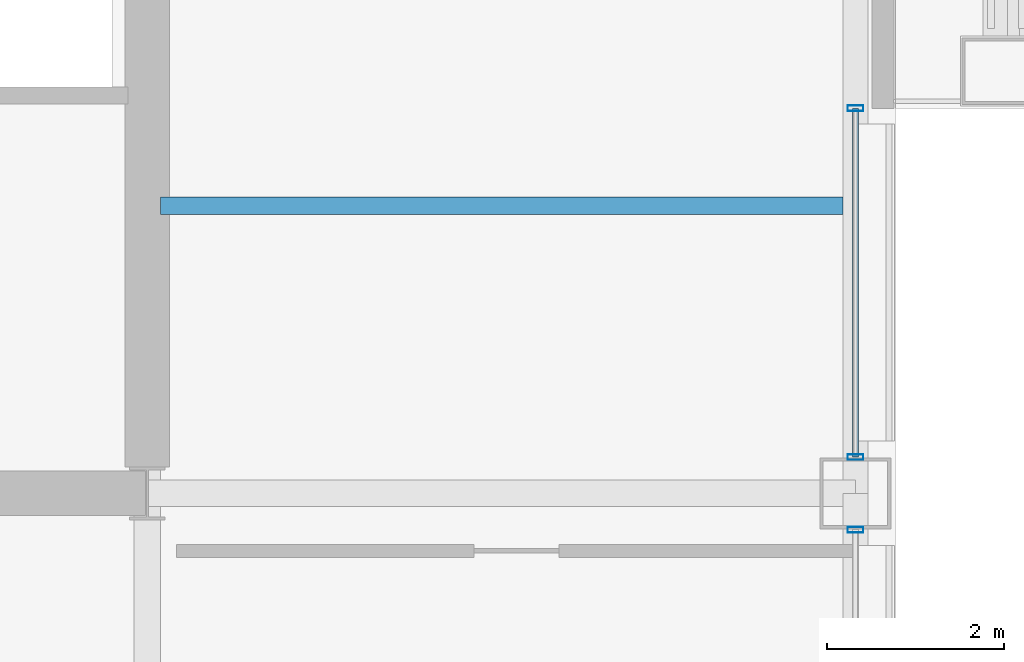
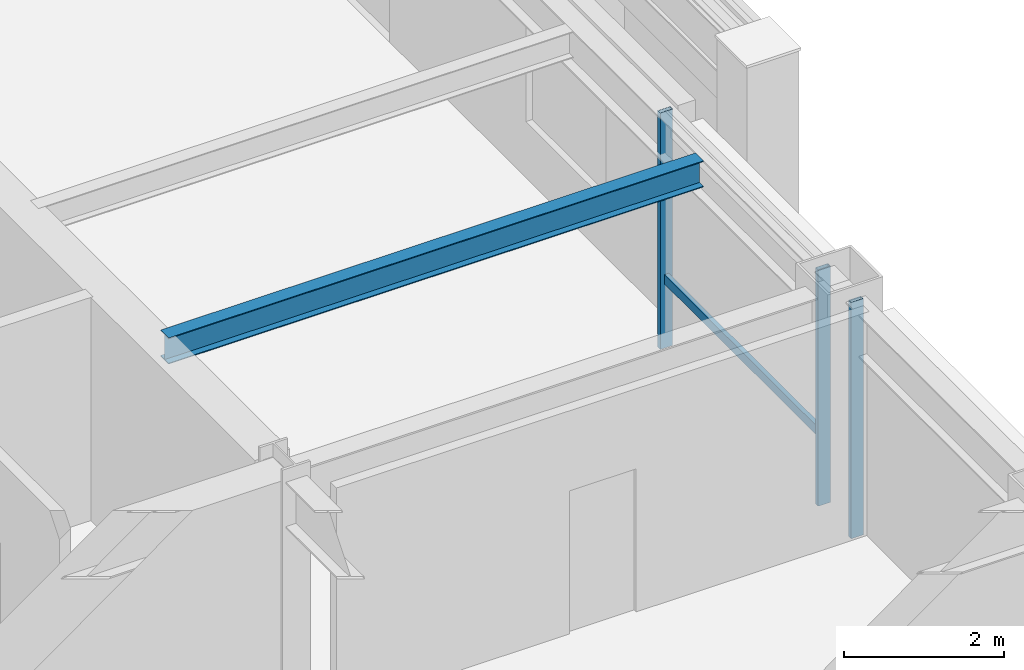
# One storey, part 14 of 29: 4 members, 1 beam, 2 elements without a shape of their own.
"""IFC4 building model written with IfcOpenShell, lengths in metres."""

from ifc_helpers import new_model, si_unit, direction, frame, origin, origin_2d, place, context, subcontext, project, spatial, hollow_rectangle, i_section, extrude, material, layer, layer_set, material_profile, profile_set, type_object, element, aggregate, save


model = new_model("IFC4")

# Units and contexts
model_context = context("Model", 3, precision=1e-05, world=origin(), true_north=direction((0.0, 1.0)))
body_context = subcontext(model_context, "Body", "Model", "MODEL_VIEW")
ifc_project = project(units=[si_unit("LENGTHUNIT", "METRE"), si_unit("AREAUNIT", "SQUARE_METRE"), si_unit("VOLUMEUNIT", "CUBIC_METRE"), si_unit("PLANEANGLEUNIT", "RADIAN"), si_unit("MASSUNIT", "GRAM", prefix="KILO")], contexts=[model_context])

# Site, building, storey
site_placement = place(None, origin())
site = spatial("IfcSite", under=ifc_project, at=site_placement, CompositionType="ELEMENT")
building_placement = place(site_placement, origin())
building = spatial("IfcBuilding", under=site, at=building_placement, Name="Brelmoor Portico Tower", CompositionType="ELEMENT")
storey_placement = place(building_placement, frame((0.0, 0.0, 138.60009765625)))
storey = spatial("IfcBuildingStorey", under=building, at=storey_placement, Name="L36", CompositionType="ELEMENT", Elevation=138.60009765625)

# Beam
ifc_material_1 = material(Name="Steel Q355B", Category="steel")
ifc_material_profile_1 = material_profile(ifc_material_1, i_section(OverallWidth=0.199951171875, OverallDepth=0.39990234375, WebThickness=0.008056640625, FlangeThickness=0.012939453125, at=origin_2d()), Name="HN 400x200x8x13")
ifc_profile_set_1 = profile_set([ifc_material_profile_1], Name="Steel Q355B")
beam_type = type_object("IfcBeamType", Name="BM-JS-400", PredefinedType="JOIST", material=ifc_profile_set_1)
beam_placement = place(storey_placement, frame((14.699951171875, -6.5, 3.199951171875), z_axis=(1.0, 0.0, 0.0), x_axis=(0.0, 1.0, 0.0)))
element("IfcBeam", 1, at=beam_placement, inside=storey, type_object=beam_type, Name="L36 Secondary Wing Joist JS-E09", PredefinedType="JOIST", context=body_context, shape_type="SweptSolid", body=[
    extrude(i_section(OverallWidth=0.199951171875, OverallDepth=0.39990234375, WebThickness=0.008056640625, FlangeThickness=0.012939453125, at=origin_2d()), origin(), (0.0, 0.0, 1.0), 7.7099609375),
])

# Curtain wall, member
ifc_material_2 = material(Name="Anodised Aluminium Alloy 6063-T6", Category="aluminium")
ifc_layer_1 = layer(ifc_material_2, 0.179931640625)
ifc_layer_set_1 = layer_set([ifc_layer_1], Name="Anodised Aluminium Alloy 6063-T6")
curtain_wall_type_1 = type_object("IfcCurtainWallType", Name="CW-TOWER-Z2-XB", PredefinedType="NOTDEFINED", material=ifc_layer_set_1)
curtain_wall_1_placement = place(storey_placement, origin())
curtain_wall_1 = element("IfcCurtainWall", 2, at=curtain_wall_1_placement, inside=storey, type_object=curtain_wall_type_1, Name="L36 Curtain Wall CW-L36-4L-1", PredefinedType="NOTDEFINED")
ifc_material_profile_2 = material_profile(ifc_material_2, hollow_rectangle(XDim=0.06494140625, YDim=0.179931640625, WallThickness=0.00390625, at=origin_2d()), Name="ALU MULLION 65x180")
ifc_profile_set_2 = profile_set([ifc_material_profile_2], Name="Anodised Aluminium Alloy 6063-T6")
member_type_1 = type_object("IfcMemberType", Name="MB-CW-MULL-180", PredefinedType="MULLION", material=ifc_profile_set_2)
member_1_placement = place(storey_placement, frame((22.550048828125, -10.159912109375, -0.2001953125), z_axis=(0.0, 0.0, 1.0), x_axis=(0.0, 1.0, 0.0)))
member_1 = element("IfcMember", 3, at=member_1_placement, type_object=member_type_1, Name="CW-L36-4L-1 Mullion 01", PredefinedType="MULLION", context=body_context, shape_type="SweptSolid", body=[
    extrude(hollow_rectangle(XDim=0.06494140625, YDim=0.179931640625, WallThickness=0.00390625, at=origin_2d()), origin(), (0.0, 0.0, 1.0), 3.60009765625),
])
aggregate(curtain_wall_1, [member_1])

# Curtain wall, members
ifc_layer_2 = layer(ifc_material_2, 0.179931640625)
ifc_layer_set_2 = layer_set([ifc_layer_2], Name="Anodised Aluminium Alloy 6063-T6")
curtain_wall_type_2 = type_object("IfcCurtainWallType", Name="CW-TOWER-Z2", PredefinedType="NOTDEFINED", material=ifc_layer_set_2)
curtain_wall_2_placement = place(storey_placement, origin())
curtain_wall_2 = element("IfcCurtainWall", 4, at=curtain_wall_2_placement, inside=storey, type_object=curtain_wall_type_2, Name="L36 Curtain Wall CW-L36-4L-2", PredefinedType="NOTDEFINED")
member_2_placement = place(storey_placement, frame((22.550048828125, -9.340087890625, -0.2001953125), z_axis=(0.0, 0.0, 1.0), x_axis=(0.0, 1.0, 0.0)))
member_2 = element("IfcMember", 5, at=member_2_placement, type_object=member_type_1, Name="CW-L36-4L-2 Mullion 00", PredefinedType="MULLION", context=body_context, shape_type="SweptSolid", body=[
    extrude(hollow_rectangle(XDim=0.06494140625, YDim=0.179931640625, WallThickness=0.00390625, at=origin_2d()), origin(), (0.0, 0.0, 1.0), 3.60009765625),
])
member_3_placement = place(storey_placement, frame((22.550048828125, -5.39990234375, -0.2001953125), z_axis=(0.0, 0.0, 1.0), x_axis=(0.0, 1.0, 0.0)))
member_3 = element("IfcMember", 6, at=member_3_placement, type_object=member_type_1, Name="CW-L36-4L-2 Mullion 01", PredefinedType="MULLION", context=body_context, shape_type="SweptSolid", body=[
    extrude(hollow_rectangle(XDim=0.06494140625, YDim=0.179931640625, WallThickness=0.00390625, at=origin_2d()), origin(), (0.0, 0.0, 1.0), 3.60009765625),
])
ifc_material_profile_3 = material_profile(ifc_material_2, hollow_rectangle(XDim=0.06494140625, YDim=0.139892578125, WallThickness=0.00390625, at=origin_2d()), Name="ALU TRANSOM 65x140")
ifc_profile_set_3 = profile_set([ifc_material_profile_3], Name="Anodised Aluminium Alloy 6063-T6")
member_type_2 = type_object("IfcMemberType", Name="MB-CW-TRAN-140", PredefinedType="USERDEFINED", material=ifc_profile_set_3)
member_4_placement = place(storey_placement, frame((22.550048828125, -9.340087890625, 0.849853515625), z_axis=(0.0, 1.0, 0.0), x_axis=(-1.0, 0.0, 0.0)))
member_4 = element("IfcMember", 7, at=member_4_placement, type_object=member_type_2, Name="CW-L36-4L-2 Transom 1-00", ObjectType="TRANSOM", PredefinedType="USERDEFINED", context=body_context, shape_type="SweptSolid", body=[
    extrude(hollow_rectangle(XDim=0.06494140625, YDim=0.139892578125, WallThickness=0.00390625, at=origin_2d()), origin(), (0.0, 0.0, 1.0), 3.940185546875),
])
aggregate(curtain_wall_2, [member_2, member_3, member_4])

save(model, "model.ifc")
